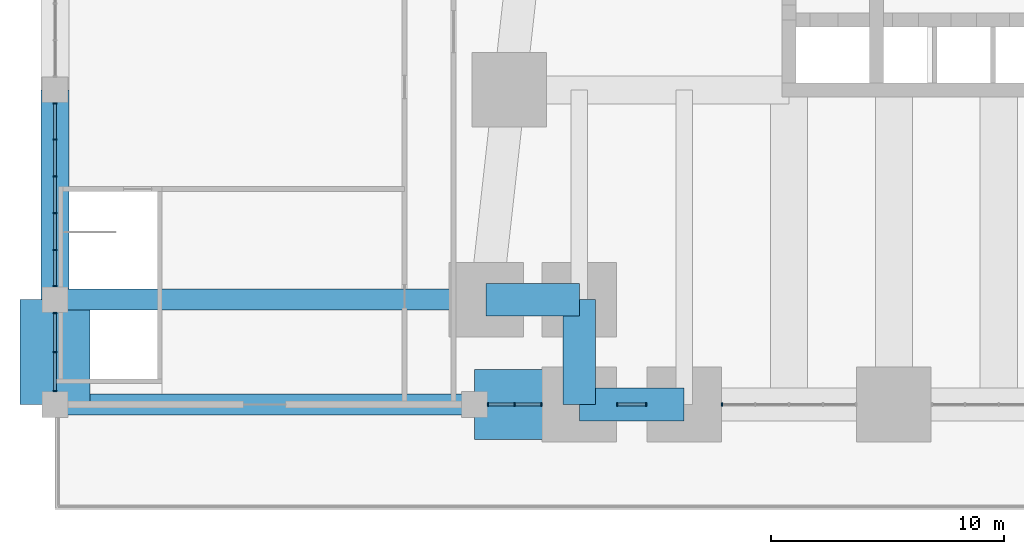
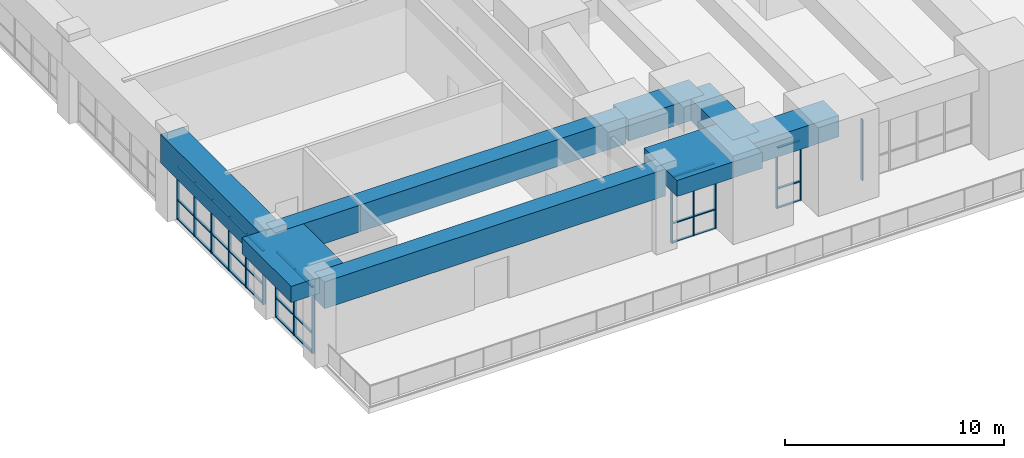
# One storey, part 2 of 22: 45 members, 9 beams, 5 elements without a shape of their own.
"""IFC4 building model written with IfcOpenShell, lengths in metres."""

from ifc_helpers import new_model, si_unit, direction, frame, origin, origin_2d, place, context, subcontext, project, spatial, rectangle, extrude, material, material_profile, profile_set, type_object, element, aggregate, save


model = new_model("IFC4")

# Units and contexts
model_context = context("Model", 3, precision=1e-05, world=origin(), true_north=direction((0.0, 1.0)))
body_context = subcontext(model_context, "Body", "Model", "MODEL_VIEW")
ifc_project = project(units=[si_unit("LENGTHUNIT", "METRE"), si_unit("AREAUNIT", "SQUARE_METRE"), si_unit("VOLUMEUNIT", "CUBIC_METRE"), si_unit("PLANEANGLEUNIT", "RADIAN"), si_unit("MASSUNIT", "GRAM", prefix="KILO")], contexts=[model_context])

# Site, building, storey
site_placement = place(None, origin())
site = spatial("IfcSite", under=ifc_project, at=site_placement, CompositionType="ELEMENT")
building_placement = place(site_placement, origin())
building = spatial("IfcBuilding", under=site, at=building_placement, Name="Kilele Tower Hotel", CompositionType="ELEMENT")
storey_placement = place(building_placement, frame((0.0, 0.0, 19.0)))
storey = spatial("IfcBuildingStorey", under=building, at=storey_placement, Name="L03", CompositionType="ELEMENT", Elevation=19.0)

# Beams
ifc_material_1 = material(Name="Concrete C60/75", Category="concrete")
ifc_material_profile_1 = material_profile(ifc_material_1, rectangle(XDim=1.199951171875, YDim=1.60009765625, at=origin_2d()))
ifc_profile_set_1 = profile_set([ifc_material_profile_1], Name="Concrete C60/75")
beam_type_1 = type_object("IfcBeamType", Name="Beam RC 1200x1600 C60/75", PredefinedType="BEAM", material=ifc_profile_set_1)
beam_1_placement = place(storey_placement, frame((-18.0, 4.5, 3.800048828125), z_axis=(0.0, 1.0, 0.0), x_axis=(-1.0, 0.0, 0.0)))
element("IfcBeam", 1, at=beam_1_placement, inside=storey, type_object=beam_type_1, Name="Beam PB2 level L04", PredefinedType="BEAM", context=body_context, shape_type="SweptSolid", body=[
    extrude(rectangle(XDim=1.199951171875, YDim=1.60009765625, at=origin_2d()), origin(), (0.0, 0.0, 1.0), 9.0),
])
ifc_material_2 = material(Name="Concrete C60/75", Category="concrete")
ifc_material_profile_2 = material_profile(ifc_material_2, rectangle(XDim=3.0, YDim=0.89990234375, at=origin_2d()))
ifc_profile_set_2 = profile_set([ifc_material_profile_2], Name="Concrete C60/75")
beam_type_2 = type_object("IfcBeamType", Name="Beam RC 3000x900 C60/75", PredefinedType="BEAM", material=ifc_profile_set_2)
for number, where, z_axis, x_axis, name in (
    (2, (-18.0, 0.0, 4.14990234375), (0.0, 1.0, 0.0), (-1.0, 0.0, 0.0), "Beam PB1 level L04"),
    (3, (0.0, 0.0, 4.14990234375), (1.0, 0.0, 0.0), (0.0, 1.0, 0.0), "Beam PB1 level L04"),
):
    element("IfcBeam", number, at=place(storey_placement, frame(where, z_axis=z_axis, x_axis=x_axis)), inside=storey, type_object=beam_type_2, Name=name, PredefinedType="BEAM", context=body_context, shape_type="SweptSolid", body=[
        extrude(rectangle(XDim=3.0, YDim=0.89990234375, at=origin_2d()), origin(), (0.0, 0.0, 1.0), 4.5),
    ])
ifc_material_3 = material(Name="Concrete C60/75", Category="concrete")
ifc_material_profile_3 = material_profile(ifc_material_3, rectangle(XDim=0.89990234375, YDim=1.5, at=origin_2d()))
ifc_profile_set_3 = profile_set([ifc_material_profile_3], Name="Concrete C60/75")
beam_type_3 = type_object("IfcBeamType", Name="Beam RC 900x1500 C60/75 short span", PredefinedType="BEAM", material=ifc_profile_set_3)
beam_2_placement = place(storey_placement, frame((-18.0, 4.5, 3.85009765625), z_axis=(1.0, 0.0, 0.0), x_axis=(0.0, 1.0, 0.0)))
element("IfcBeam", 4, at=beam_2_placement, inside=storey, type_object=beam_type_3, Name="Long-span beam LB3 level L04", PredefinedType="BEAM", context=body_context, shape_type="SweptSolid", body=[
    extrude(rectangle(XDim=0.89990234375, YDim=1.5, at=origin_2d()), origin(), (0.0, 0.0, 1.0), 4.5),
])
ifc_material_4 = material(Name="Concrete C60/75", Category="concrete")
ifc_material_profile_4 = material_profile(ifc_material_4, rectangle(XDim=0.89990234375, YDim=1.5, at=origin_2d()))
ifc_profile_set_4 = profile_set([ifc_material_profile_4], Name="Concrete C60/75")
beam_type_4 = type_object("IfcBeamType", Name="Long-span beam RC 900x1500 C60/75", PredefinedType="BEAM", material=ifc_profile_set_4)
beam_3_placement = place(storey_placement, frame((-18.0, 0.0, 3.85009765625), z_axis=(1.0, 0.0, 0.0), x_axis=(0.0, 1.0, 0.0)))
element("IfcBeam", 5, at=beam_3_placement, inside=storey, type_object=beam_type_4, Name="Long-span beam LB4 level L04", PredefinedType="BEAM", context=body_context, shape_type="SweptSolid", body=[
    extrude(rectangle(XDim=0.89990234375, YDim=1.5, at=origin_2d()), origin(), (0.0, 0.0, 1.0), 18.0),
])
ifc_material_5 = material(Name="Concrete C60/75", Category="concrete")
ifc_material_profile_5 = material_profile(ifc_material_5, rectangle(XDim=0.89990234375, YDim=1.5, at=origin_2d()))
ifc_profile_set_5 = profile_set([ifc_material_profile_5], Name="Concrete C60/75")
beam_type_5 = type_object("IfcBeamType", Name="Long-span beam RC 900x1500 C60/75 span 12 to 16 m", PredefinedType="BEAM", material=ifc_profile_set_5)
beam_4_placement = place(storey_placement, frame((-13.5, 4.5, 3.85009765625), z_axis=(1.0, 0.0, 0.0), x_axis=(0.0, 1.0, 0.0)))
element("IfcBeam", 6, at=beam_4_placement, inside=storey, type_object=beam_type_5, Name="Long-span beam LB5 level L04", PredefinedType="BEAM", context=body_context, shape_type="SweptSolid", body=[
    extrude(rectangle(XDim=0.89990234375, YDim=1.5, at=origin_2d()), origin(), (0.0, 0.0, 1.0), 14.0),
])

# Curtain wall, members
ifc_material_6 = material(Name="Aluminium curtain wall, clear double glazing", Category="aluminium")
curtain_wall_type_1 = type_object("IfcCurtainWallType", Name="Podium curtain wall CW-1", PredefinedType="NOTDEFINED", material=ifc_material_6)
curtain_wall_1_placement = place(storey_placement, origin())
curtain_wall_1 = element("IfcCurtainWall", 7, at=curtain_wall_1_placement, inside=storey, type_object=curtain_wall_type_1, Name="Podium curtain wall CW-1 L03", PredefinedType="NOTDEFINED")
ifc_material_7 = material(Name="Aluminium EN AW-6063 T6", Category="aluminium")
ifc_material_profile_6 = material_profile(ifc_material_7, rectangle(XDim=0.159912109375, YDim=0.06005859375, at=origin_2d()))
ifc_profile_set_6 = profile_set([ifc_material_profile_6], Name="Aluminium EN AW-6063 T6")
member_type_1 = type_object("IfcMemberType", Name="Mullion 60x160 CW-1", PredefinedType="MULLION", material=ifc_profile_set_6)
member_1_placement = place(storey_placement, frame((0.580078125, 0.0, 0.0), z_axis=(0.0, 0.0, 1.0), x_axis=(0.0, 1.0, 0.0)))
member_1 = element("IfcMember", 8, at=member_1_placement, type_object=member_type_1, Name="CW-1 mullion 1", PredefinedType="MULLION", context=body_context, shape_type="SweptSolid", body=[
    extrude(rectangle(XDim=0.159912109375, YDim=0.06005859375, at=origin_2d()), origin(), (0.0, 0.0, 1.0), 3.699951171875),
])
member_2_placement = place(storey_placement, frame((1.72509765625, 0.0, 0.0), z_axis=(0.0, 0.0, 1.0), x_axis=(0.0, 1.0, 0.0)))
member_2 = element("IfcMember", 9, at=member_2_placement, type_object=member_type_1, Name="CW-1 mullion 2", PredefinedType="MULLION", context=body_context, shape_type="SweptSolid", body=[
    extrude(rectangle(XDim=0.159912109375, YDim=0.06005859375, at=origin_2d()), origin(), (0.0, 0.0, 1.0), 3.699951171875),
])
member_3_placement = place(storey_placement, frame((2.8701171875, 0.0, 0.0), z_axis=(0.0, 0.0, 1.0), x_axis=(0.0, 1.0, 0.0)))
member_3 = element("IfcMember", 10, at=member_3_placement, type_object=member_type_1, Name="CW-1 mullion 3", PredefinedType="MULLION", context=body_context, shape_type="SweptSolid", body=[
    extrude(rectangle(XDim=0.159912109375, YDim=0.06005859375, at=origin_2d()), origin(), (0.0, 0.0, 1.0), 3.699951171875),
])

curtain_wall_2_placement = place(storey_placement, origin())
curtain_wall_2 = element("IfcCurtainWall", 11, at=curtain_wall_2_placement, inside=storey, type_object=curtain_wall_type_1, Name="Podium curtain wall CW-1 L03", PredefinedType="NOTDEFINED")
member_4_placement = place(storey_placement, frame((6.1298828125, 0.0, 0.0), z_axis=(0.0, 0.0, 1.0), x_axis=(0.0, 1.0, 0.0)))
member_4 = element("IfcMember", 12, at=member_4_placement, type_object=member_type_1, Name="CW-1 mullion 1", PredefinedType="MULLION", context=body_context, shape_type="SweptSolid", body=[
    extrude(rectangle(XDim=0.159912109375, YDim=0.06005859375, at=origin_2d()), origin(), (0.0, 0.0, 1.0), 3.39990234375),
])
member_5_placement = place(storey_placement, frame((7.3701171875, 0.0, 0.0), z_axis=(0.0, 0.0, 1.0), x_axis=(0.0, 1.0, 0.0)))
member_5 = element("IfcMember", 13, at=member_5_placement, type_object=member_type_1, Name="CW-1 mullion 2", PredefinedType="MULLION", context=body_context, shape_type="SweptSolid", body=[
    extrude(rectangle(XDim=0.159912109375, YDim=0.06005859375, at=origin_2d()), origin(), (0.0, 0.0, 1.0), 3.39990234375),
])

# Curtain wall, member
curtain_wall_3_placement = place(storey_placement, origin())
curtain_wall_3 = element("IfcCurtainWall", 14, at=curtain_wall_3_placement, inside=storey, type_object=curtain_wall_type_1, Name="Podium curtain wall CW-1 L03", PredefinedType="NOTDEFINED")
member_6_placement = place(storey_placement, frame((10.6298828125, 0.0, 0.0), z_axis=(0.0, 0.0, 1.0), x_axis=(0.0, 1.0, 0.0)))
member_6 = element("IfcMember", 15, at=member_6_placement, type_object=member_type_1, Name="CW-1 mullion 1", PredefinedType="MULLION", context=body_context, shape_type="SweptSolid", body=[
    extrude(rectangle(XDim=0.159912109375, YDim=0.06005859375, at=origin_2d()), origin(), (0.0, 0.0, 1.0), 3.39990234375),
])
aggregate(curtain_wall_3, [member_6])

# Curtain wall, members
ifc_material_8 = material(Name="Aluminium curtain wall, clear double glazing", Category="aluminium")
curtain_wall_type_2 = type_object("IfcCurtainWallType", Name="Podium side curtain wall CW-2", PredefinedType="NOTDEFINED", material=ifc_material_8)
curtain_wall_4_placement = place(storey_placement, origin())
curtain_wall_4 = element("IfcCurtainWall", 16, at=curtain_wall_4_placement, inside=storey, type_object=curtain_wall_type_2, Name="Podium side curtain wall CW-2 L03", PredefinedType="NOTDEFINED")
ifc_material_9 = material(Name="Aluminium EN AW-6063 T6", Category="aluminium")
ifc_material_profile_7 = material_profile(ifc_material_9, rectangle(XDim=0.159912109375, YDim=0.06005859375, at=origin_2d()))
ifc_profile_set_7 = profile_set([ifc_material_profile_7], Name="Aluminium EN AW-6063 T6")
member_type_2 = type_object("IfcMemberType", Name="Mullion 60x160 CW-2", PredefinedType="MULLION", material=ifc_profile_set_7)
member_7_placement = place(storey_placement, frame((-18.0, 12.919921875, 0.0), z_axis=(0.0, 0.0, 1.0), x_axis=(1.0, 0.0, 0.0)))
member_7 = element("IfcMember", 17, at=member_7_placement, type_object=member_type_2, Name="CW-2 mullion 1", PredefinedType="MULLION", context=body_context, shape_type="SweptSolid", body=[
    extrude(rectangle(XDim=0.159912109375, YDim=0.06005859375, at=origin_2d()), origin(), (0.0, 0.0, 1.0), 3.0),
])
member_8_placement = place(storey_placement, frame((-18.0, 11.3701171875, 0.0), z_axis=(0.0, 0.0, 1.0), x_axis=(1.0, 0.0, 0.0)))
member_8 = element("IfcMember", 18, at=member_8_placement, type_object=member_type_2, Name="CW-2 mullion 2", PredefinedType="MULLION", context=body_context, shape_type="SweptSolid", body=[
    extrude(rectangle(XDim=0.159912109375, YDim=0.06005859375, at=origin_2d()), origin(), (0.0, 0.0, 1.0), 3.0),
])
member_9_placement = place(storey_placement, frame((-18.0, 9.7900390625, 0.0), z_axis=(0.0, 0.0, 1.0), x_axis=(1.0, 0.0, 0.0)))
member_9 = element("IfcMember", 19, at=member_9_placement, type_object=member_type_2, Name="CW-2 mullion 3", PredefinedType="MULLION", context=body_context, shape_type="SweptSolid", body=[
    extrude(rectangle(XDim=0.159912109375, YDim=0.06005859375, at=origin_2d()), origin(), (0.0, 0.0, 1.0), 3.0),
])
member_10_placement = place(storey_placement, frame((-18.0, 8.2099609375, 0.0), z_axis=(0.0, 0.0, 1.0), x_axis=(1.0, 0.0, 0.0)))
member_10 = element("IfcMember", 20, at=member_10_placement, type_object=member_type_2, Name="CW-2 mullion 4", PredefinedType="MULLION", context=body_context, shape_type="SweptSolid", body=[
    extrude(rectangle(XDim=0.159912109375, YDim=0.06005859375, at=origin_2d()), origin(), (0.0, 0.0, 1.0), 3.0),
])
member_11_placement = place(storey_placement, frame((-18.0, 6.6298828125, 0.0), z_axis=(0.0, 0.0, 1.0), x_axis=(1.0, 0.0, 0.0)))
member_11 = element("IfcMember", 21, at=member_11_placement, type_object=member_type_2, Name="CW-2 mullion 5", PredefinedType="MULLION", context=body_context, shape_type="SweptSolid", body=[
    extrude(rectangle(XDim=0.159912109375, YDim=0.06005859375, at=origin_2d()), origin(), (0.0, 0.0, 1.0), 3.0),
])
member_12_placement = place(storey_placement, frame((-18.0, 5.080078125, 0.0), z_axis=(0.0, 0.0, 1.0), x_axis=(1.0, 0.0, 0.0)))
member_12 = element("IfcMember", 22, at=member_12_placement, type_object=member_type_2, Name="CW-2 mullion 6", PredefinedType="MULLION", context=body_context, shape_type="SweptSolid", body=[
    extrude(rectangle(XDim=0.159912109375, YDim=0.06005859375, at=origin_2d()), origin(), (0.0, 0.0, 1.0), 3.0),
])

curtain_wall_5_placement = place(storey_placement, origin())
curtain_wall_5 = element("IfcCurtainWall", 23, at=curtain_wall_5_placement, inside=storey, type_object=curtain_wall_type_2, Name="Podium side curtain wall CW-2 L03", PredefinedType="NOTDEFINED")
member_13_placement = place(storey_placement, frame((-18.0, 3.919921875, 0.0), z_axis=(0.0, 0.0, 1.0), x_axis=(1.0, 0.0, 0.0)))
member_13 = element("IfcMember", 24, at=member_13_placement, type_object=member_type_2, Name="CW-2 mullion 1", PredefinedType="MULLION", context=body_context, shape_type="SweptSolid", body=[
    extrude(rectangle(XDim=0.159912109375, YDim=0.06005859375, at=origin_2d()), origin(), (0.0, 0.0, 1.0), 3.699951171875),
])
member_14_placement = place(storey_placement, frame((-18.0, 2.25, 0.0), z_axis=(0.0, 0.0, 1.0), x_axis=(1.0, 0.0, 0.0)))
member_14 = element("IfcMember", 25, at=member_14_placement, type_object=member_type_2, Name="CW-2 mullion 2", PredefinedType="MULLION", context=body_context, shape_type="SweptSolid", body=[
    extrude(rectangle(XDim=0.159912109375, YDim=0.06005859375, at=origin_2d()), origin(), (0.0, 0.0, 1.0), 3.699951171875),
])
member_15_placement = place(storey_placement, frame((-18.0, 0.580078125, 0.0), z_axis=(0.0, 0.0, 1.0), x_axis=(1.0, 0.0, 0.0)))
member_15 = element("IfcMember", 26, at=member_15_placement, type_object=member_type_2, Name="CW-2 mullion 3", PredefinedType="MULLION", context=body_context, shape_type="SweptSolid", body=[
    extrude(rectangle(XDim=0.159912109375, YDim=0.06005859375, at=origin_2d()), origin(), (0.0, 0.0, 1.0), 3.699951171875),
])

# Beams
ifc_material_10 = material(Name="Concrete C60/75", Category="concrete")
ifc_material_profile_8 = material_profile(ifc_material_10, rectangle(XDim=1.39990234375, YDim=1.199951171875, at=origin_2d()))
ifc_profile_set_8 = profile_set([ifc_material_profile_8], Name="Concrete C60/75")
beam_type_6 = type_object("IfcBeamType", Name="Spandrel RC 1400x1200 C60/75", PredefinedType="SPANDREL", material=ifc_profile_set_8)
beam_5_placement = place(storey_placement, frame((0.5, 4.5, 4.0), z_axis=(1.0, 0.0, 0.0), x_axis=(0.0, 1.0, 0.0)))
element("IfcBeam", 27, at=beam_5_placement, inside=storey, type_object=beam_type_6, Name="Spandrel SP10 level L04", PredefinedType="SPANDREL", context=body_context, shape_type="SweptSolid", body=[
    extrude(rectangle(XDim=1.39990234375, YDim=1.199951171875, at=origin_2d()), origin(), (0.0, 0.0, 1.0), 4.0),
])
for number, where, z_axis, x_axis, name in (
    (28, (4.5, 4.5, 4.0), (0.0, -1.0, 0.0), (1.0, 0.0, 0.0), "Spandrel SP10 level L04"),
    (29, (4.5, 0.0, 4.0), (1.0, 0.0, 0.0), (0.0, 1.0, 0.0), "Spandrel SP10 level L04"),
):
    element("IfcBeam", number, at=place(storey_placement, frame(where, z_axis=z_axis, x_axis=x_axis)), inside=storey, type_object=beam_type_6, Name=name, PredefinedType="SPANDREL", context=body_context, shape_type="SweptSolid", body=[
        extrude(rectangle(XDim=1.39990234375, YDim=1.199951171875, at=origin_2d()), origin(), (0.0, 0.0, 1.0), 4.5),
    ])

# Member
ifc_material_11 = material(Name="Aluminium EN AW-6063 T6", Category="aluminium")
ifc_material_profile_9 = material_profile(ifc_material_11, rectangle(XDim=0.1201171875, YDim=0.06005859375, at=origin_2d()))
ifc_profile_set_9 = profile_set([ifc_material_profile_9], Name="Aluminium EN AW-6063 T6")
member_type_3 = type_object("IfcMemberType", Name="Transom 60x120 CW-1", PredefinedType="USERDEFINED", material=ifc_profile_set_9)
member_16_placement = place(storey_placement, frame((0.610107421875, 0.0, 0.030029296875), z_axis=(1.0, 0.0, 0.0), x_axis=(0.0, 1.0, 0.0)))
member_16 = element("IfcMember", 30, at=member_16_placement, type_object=member_type_3, Name="CW-1 transom 1.1", ObjectType="TRANSOM", PredefinedType="USERDEFINED", context=body_context, shape_type="SweptSolid", body=[
    extrude(rectangle(XDim=0.1201171875, YDim=0.06005859375, at=origin_2d()), origin(), (0.0, 0.0, 1.0), 1.0849609375),
])

member_17_placement = place(storey_placement, frame((0.610107421875, 0.0, 1.10009765625), z_axis=(1.0, 0.0, 0.0), x_axis=(0.0, 1.0, 0.0)))
member_17 = element("IfcMember", 31, at=member_17_placement, type_object=member_type_3, Name="CW-1 transom 1.2", ObjectType="TRANSOM", PredefinedType="USERDEFINED", context=body_context, shape_type="SweptSolid", body=[
    extrude(rectangle(XDim=0.1201171875, YDim=0.06005859375, at=origin_2d()), origin(), (0.0, 0.0, 1.0), 1.0849609375),
])

member_18_placement = place(storey_placement, frame((0.610107421875, 0.0, 3.669921875), z_axis=(1.0, 0.0, 0.0), x_axis=(0.0, 1.0, 0.0)))
member_18 = element("IfcMember", 32, at=member_18_placement, type_object=member_type_3, Name="CW-1 transom 1.3", ObjectType="TRANSOM", PredefinedType="USERDEFINED", context=body_context, shape_type="SweptSolid", body=[
    extrude(rectangle(XDim=0.1201171875, YDim=0.06005859375, at=origin_2d()), origin(), (0.0, 0.0, 1.0), 1.0849609375),
])

member_19_placement = place(storey_placement, frame((1.7548828125, 0.0, 0.030029296875), z_axis=(1.0, 0.0, 0.0), x_axis=(0.0, 1.0, 0.0)))
member_19 = element("IfcMember", 33, at=member_19_placement, type_object=member_type_3, Name="CW-1 transom 2.1", ObjectType="TRANSOM", PredefinedType="USERDEFINED", context=body_context, shape_type="SweptSolid", body=[
    extrude(rectangle(XDim=0.1201171875, YDim=0.06005859375, at=origin_2d()), origin(), (0.0, 0.0, 1.0), 1.085205078125),
])

member_20_placement = place(storey_placement, frame((1.7548828125, 0.0, 1.10009765625), z_axis=(1.0, 0.0, 0.0), x_axis=(0.0, 1.0, 0.0)))
member_20 = element("IfcMember", 34, at=member_20_placement, type_object=member_type_3, Name="CW-1 transom 2.2", ObjectType="TRANSOM", PredefinedType="USERDEFINED", context=body_context, shape_type="SweptSolid", body=[
    extrude(rectangle(XDim=0.1201171875, YDim=0.06005859375, at=origin_2d()), origin(), (0.0, 0.0, 1.0), 1.085205078125),
])

member_21_placement = place(storey_placement, frame((1.7548828125, 0.0, 3.669921875), z_axis=(1.0, 0.0, 0.0), x_axis=(0.0, 1.0, 0.0)))
member_21 = element("IfcMember", 35, at=member_21_placement, type_object=member_type_3, Name="CW-1 transom 2.3", ObjectType="TRANSOM", PredefinedType="USERDEFINED", context=body_context, shape_type="SweptSolid", body=[
    extrude(rectangle(XDim=0.1201171875, YDim=0.06005859375, at=origin_2d()), origin(), (0.0, 0.0, 1.0), 1.085205078125),
])

aggregate(curtain_wall_1, [member_1, member_2, member_3, member_16, member_17, member_18, member_19, member_20, member_21])

member_22_placement = place(storey_placement, frame((6.159912109375, 0.0, 0.030029296875), z_axis=(1.0, 0.0, 0.0), x_axis=(0.0, 1.0, 0.0)))
member_22 = element("IfcMember", 36, at=member_22_placement, type_object=member_type_3, Name="CW-1 transom 1.1", ObjectType="TRANSOM", PredefinedType="USERDEFINED", context=body_context, shape_type="SweptSolid", body=[
    extrude(rectangle(XDim=0.1201171875, YDim=0.06005859375, at=origin_2d()), origin(), (0.0, 0.0, 1.0), 1.18017578125),
])

member_23_placement = place(storey_placement, frame((6.159912109375, 0.0, 1.10009765625), z_axis=(1.0, 0.0, 0.0), x_axis=(0.0, 1.0, 0.0)))
member_23 = element("IfcMember", 37, at=member_23_placement, type_object=member_type_3, Name="CW-1 transom 1.2", ObjectType="TRANSOM", PredefinedType="USERDEFINED", context=body_context, shape_type="SweptSolid", body=[
    extrude(rectangle(XDim=0.1201171875, YDim=0.06005859375, at=origin_2d()), origin(), (0.0, 0.0, 1.0), 1.18017578125),
])

member_24_placement = place(storey_placement, frame((6.159912109375, 0.0, 3.3701171875), z_axis=(1.0, 0.0, 0.0), x_axis=(0.0, 1.0, 0.0)))
member_24 = element("IfcMember", 38, at=member_24_placement, type_object=member_type_3, Name="CW-1 transom 1.3", ObjectType="TRANSOM", PredefinedType="USERDEFINED", context=body_context, shape_type="SweptSolid", body=[
    extrude(rectangle(XDim=0.1201171875, YDim=0.06005859375, at=origin_2d()), origin(), (0.0, 0.0, 1.0), 1.18017578125),
])

aggregate(curtain_wall_2, [member_4, member_5, member_22, member_23, member_24])

ifc_material_12 = material(Name="Aluminium EN AW-6063 T6", Category="aluminium")
ifc_material_profile_10 = material_profile(ifc_material_12, rectangle(XDim=0.1201171875, YDim=0.06005859375, at=origin_2d()))
ifc_profile_set_10 = profile_set([ifc_material_profile_10], Name="Aluminium EN AW-6063 T6")
member_type_4 = type_object("IfcMemberType", Name="Transom 60x120 CW-2", PredefinedType="USERDEFINED", material=ifc_profile_set_10)
member_25_placement = place(storey_placement, frame((-18.0, 12.889892578125, 0.030029296875), z_axis=(0.0, -1.0, 0.0), x_axis=(1.0, 0.0, 0.0)))
member_25 = element("IfcMember", 39, at=member_25_placement, type_object=member_type_4, Name="CW-2 transom 1.1", ObjectType="TRANSOM", PredefinedType="USERDEFINED", context=body_context, shape_type="SweptSolid", body=[
    extrude(rectangle(XDim=0.1201171875, YDim=0.06005859375, at=origin_2d()), origin(), (0.0, 0.0, 1.0), 1.489990234375),
])

member_26_placement = place(storey_placement, frame((-18.0, 12.889892578125, 1.10009765625), z_axis=(0.0, -1.0, 0.0), x_axis=(1.0, 0.0, 0.0)))
member_26 = element("IfcMember", 40, at=member_26_placement, type_object=member_type_4, Name="CW-2 transom 1.2", ObjectType="TRANSOM", PredefinedType="USERDEFINED", context=body_context, shape_type="SweptSolid", body=[
    extrude(rectangle(XDim=0.1201171875, YDim=0.06005859375, at=origin_2d()), origin(), (0.0, 0.0, 1.0), 1.489990234375),
])

member_27_placement = place(storey_placement, frame((-18.0, 12.889892578125, 2.969970703125), z_axis=(0.0, -1.0, 0.0), x_axis=(1.0, 0.0, 0.0)))
member_27 = element("IfcMember", 41, at=member_27_placement, type_object=member_type_4, Name="CW-2 transom 1.3", ObjectType="TRANSOM", PredefinedType="USERDEFINED", context=body_context, shape_type="SweptSolid", body=[
    extrude(rectangle(XDim=0.1201171875, YDim=0.06005859375, at=origin_2d()), origin(), (0.0, 0.0, 1.0), 1.489990234375),
])

member_28_placement = place(storey_placement, frame((-18.0, 11.340087890625, 0.030029296875), z_axis=(0.0, -1.0, 0.0), x_axis=(1.0, 0.0, 0.0)))
member_28 = element("IfcMember", 42, at=member_28_placement, type_object=member_type_4, Name="CW-2 transom 2.1", ObjectType="TRANSOM", PredefinedType="USERDEFINED", context=body_context, shape_type="SweptSolid", body=[
    extrude(rectangle(XDim=0.1201171875, YDim=0.06005859375, at=origin_2d()), origin(), (0.0, 0.0, 1.0), 1.52001953125),
])

member_29_placement = place(storey_placement, frame((-18.0, 11.340087890625, 1.10009765625), z_axis=(0.0, -1.0, 0.0), x_axis=(1.0, 0.0, 0.0)))
member_29 = element("IfcMember", 43, at=member_29_placement, type_object=member_type_4, Name="CW-2 transom 2.2", ObjectType="TRANSOM", PredefinedType="USERDEFINED", context=body_context, shape_type="SweptSolid", body=[
    extrude(rectangle(XDim=0.1201171875, YDim=0.06005859375, at=origin_2d()), origin(), (0.0, 0.0, 1.0), 1.52001953125),
])

member_30_placement = place(storey_placement, frame((-18.0, 11.340087890625, 2.969970703125), z_axis=(0.0, -1.0, 0.0), x_axis=(1.0, 0.0, 0.0)))
member_30 = element("IfcMember", 44, at=member_30_placement, type_object=member_type_4, Name="CW-2 transom 2.3", ObjectType="TRANSOM", PredefinedType="USERDEFINED", context=body_context, shape_type="SweptSolid", body=[
    extrude(rectangle(XDim=0.1201171875, YDim=0.06005859375, at=origin_2d()), origin(), (0.0, 0.0, 1.0), 1.52001953125),
])

member_31_placement = place(storey_placement, frame((-18.0, 9.760009765625, 0.030029296875), z_axis=(0.0, -1.0, 0.0), x_axis=(1.0, 0.0, 0.0)))
member_31 = element("IfcMember", 45, at=member_31_placement, type_object=member_type_4, Name="CW-2 transom 3.1", ObjectType="TRANSOM", PredefinedType="USERDEFINED", context=body_context, shape_type="SweptSolid", body=[
    extrude(rectangle(XDim=0.1201171875, YDim=0.06005859375, at=origin_2d()), origin(), (0.0, 0.0, 1.0), 1.52001953125),
])

member_32_placement = place(storey_placement, frame((-18.0, 9.760009765625, 1.10009765625), z_axis=(0.0, -1.0, 0.0), x_axis=(1.0, 0.0, 0.0)))
member_32 = element("IfcMember", 46, at=member_32_placement, type_object=member_type_4, Name="CW-2 transom 3.2", ObjectType="TRANSOM", PredefinedType="USERDEFINED", context=body_context, shape_type="SweptSolid", body=[
    extrude(rectangle(XDim=0.1201171875, YDim=0.06005859375, at=origin_2d()), origin(), (0.0, 0.0, 1.0), 1.52001953125),
])

member_33_placement = place(storey_placement, frame((-18.0, 9.760009765625, 2.969970703125), z_axis=(0.0, -1.0, 0.0), x_axis=(1.0, 0.0, 0.0)))
member_33 = element("IfcMember", 47, at=member_33_placement, type_object=member_type_4, Name="CW-2 transom 3.3", ObjectType="TRANSOM", PredefinedType="USERDEFINED", context=body_context, shape_type="SweptSolid", body=[
    extrude(rectangle(XDim=0.1201171875, YDim=0.06005859375, at=origin_2d()), origin(), (0.0, 0.0, 1.0), 1.52001953125),
])

member_34_placement = place(storey_placement, frame((-18.0, 8.179931640625, 0.030029296875), z_axis=(0.0, -1.0, 0.0), x_axis=(1.0, 0.0, 0.0)))
member_34 = element("IfcMember", 48, at=member_34_placement, type_object=member_type_4, Name="CW-2 transom 4.1", ObjectType="TRANSOM", PredefinedType="USERDEFINED", context=body_context, shape_type="SweptSolid", body=[
    extrude(rectangle(XDim=0.1201171875, YDim=0.06005859375, at=origin_2d()), origin(), (0.0, 0.0, 1.0), 1.52001953125),
])

member_35_placement = place(storey_placement, frame((-18.0, 8.179931640625, 1.10009765625), z_axis=(0.0, -1.0, 0.0), x_axis=(1.0, 0.0, 0.0)))
member_35 = element("IfcMember", 49, at=member_35_placement, type_object=member_type_4, Name="CW-2 transom 4.2", ObjectType="TRANSOM", PredefinedType="USERDEFINED", context=body_context, shape_type="SweptSolid", body=[
    extrude(rectangle(XDim=0.1201171875, YDim=0.06005859375, at=origin_2d()), origin(), (0.0, 0.0, 1.0), 1.52001953125),
])

member_36_placement = place(storey_placement, frame((-18.0, 8.179931640625, 2.969970703125), z_axis=(0.0, -1.0, 0.0), x_axis=(1.0, 0.0, 0.0)))
member_36 = element("IfcMember", 50, at=member_36_placement, type_object=member_type_4, Name="CW-2 transom 4.3", ObjectType="TRANSOM", PredefinedType="USERDEFINED", context=body_context, shape_type="SweptSolid", body=[
    extrude(rectangle(XDim=0.1201171875, YDim=0.06005859375, at=origin_2d()), origin(), (0.0, 0.0, 1.0), 1.52001953125),
])

member_37_placement = place(storey_placement, frame((-18.0, 6.60009765625, 0.030029296875), z_axis=(0.0, -1.0, 0.0), x_axis=(1.0, 0.0, 0.0)))
member_37 = element("IfcMember", 51, at=member_37_placement, type_object=member_type_4, Name="CW-2 transom 5.1", ObjectType="TRANSOM", PredefinedType="USERDEFINED", context=body_context, shape_type="SweptSolid", body=[
    extrude(rectangle(XDim=0.1201171875, YDim=0.06005859375, at=origin_2d()), origin(), (0.0, 0.0, 1.0), 1.489990234375),
])

member_38_placement = place(storey_placement, frame((-18.0, 6.60009765625, 1.10009765625), z_axis=(0.0, -1.0, 0.0), x_axis=(1.0, 0.0, 0.0)))
member_38 = element("IfcMember", 52, at=member_38_placement, type_object=member_type_4, Name="CW-2 transom 5.2", ObjectType="TRANSOM", PredefinedType="USERDEFINED", context=body_context, shape_type="SweptSolid", body=[
    extrude(rectangle(XDim=0.1201171875, YDim=0.06005859375, at=origin_2d()), origin(), (0.0, 0.0, 1.0), 1.489990234375),
])

member_39_placement = place(storey_placement, frame((-18.0, 6.60009765625, 2.969970703125), z_axis=(0.0, -1.0, 0.0), x_axis=(1.0, 0.0, 0.0)))
member_39 = element("IfcMember", 53, at=member_39_placement, type_object=member_type_4, Name="CW-2 transom 5.3", ObjectType="TRANSOM", PredefinedType="USERDEFINED", context=body_context, shape_type="SweptSolid", body=[
    extrude(rectangle(XDim=0.1201171875, YDim=0.06005859375, at=origin_2d()), origin(), (0.0, 0.0, 1.0), 1.489990234375),
])

aggregate(curtain_wall_4, [member_7, member_8, member_9, member_10, member_11, member_12, member_25, member_26, member_27, member_28, member_29, member_30, member_31, member_32, member_33, member_34, member_35, member_36, member_37, member_38, member_39])

member_40_placement = place(storey_placement, frame((-18.0, 3.889892578125, 0.030029296875), z_axis=(0.0, -1.0, 0.0), x_axis=(1.0, 0.0, 0.0)))
member_40 = element("IfcMember", 54, at=member_40_placement, type_object=member_type_4, Name="CW-2 transom 1.1", ObjectType="TRANSOM", PredefinedType="USERDEFINED", context=body_context, shape_type="SweptSolid", body=[
    extrude(rectangle(XDim=0.1201171875, YDim=0.06005859375, at=origin_2d()), origin(), (0.0, 0.0, 1.0), 1.60986328125),
])

member_41_placement = place(storey_placement, frame((-18.0, 3.889892578125, 1.10009765625), z_axis=(0.0, -1.0, 0.0), x_axis=(1.0, 0.0, 0.0)))
member_41 = element("IfcMember", 55, at=member_41_placement, type_object=member_type_4, Name="CW-2 transom 1.2", ObjectType="TRANSOM", PredefinedType="USERDEFINED", context=body_context, shape_type="SweptSolid", body=[
    extrude(rectangle(XDim=0.1201171875, YDim=0.06005859375, at=origin_2d()), origin(), (0.0, 0.0, 1.0), 1.60986328125),
])

member_42_placement = place(storey_placement, frame((-18.0, 3.889892578125, 3.669921875), z_axis=(0.0, -1.0, 0.0), x_axis=(1.0, 0.0, 0.0)))
member_42 = element("IfcMember", 56, at=member_42_placement, type_object=member_type_4, Name="CW-2 transom 1.3", ObjectType="TRANSOM", PredefinedType="USERDEFINED", context=body_context, shape_type="SweptSolid", body=[
    extrude(rectangle(XDim=0.1201171875, YDim=0.06005859375, at=origin_2d()), origin(), (0.0, 0.0, 1.0), 1.60986328125),
])

member_43_placement = place(storey_placement, frame((-18.0, 2.219970703125, 0.030029296875), z_axis=(0.0, -1.0, 0.0), x_axis=(1.0, 0.0, 0.0)))
member_43 = element("IfcMember", 57, at=member_43_placement, type_object=member_type_4, Name="CW-2 transom 2.1", ObjectType="TRANSOM", PredefinedType="USERDEFINED", context=body_context, shape_type="SweptSolid", body=[
    extrude(rectangle(XDim=0.1201171875, YDim=0.06005859375, at=origin_2d()), origin(), (0.0, 0.0, 1.0), 1.60986328125),
])

member_44_placement = place(storey_placement, frame((-18.0, 2.219970703125, 1.10009765625), z_axis=(0.0, -1.0, 0.0), x_axis=(1.0, 0.0, 0.0)))
member_44 = element("IfcMember", 58, at=member_44_placement, type_object=member_type_4, Name="CW-2 transom 2.2", ObjectType="TRANSOM", PredefinedType="USERDEFINED", context=body_context, shape_type="SweptSolid", body=[
    extrude(rectangle(XDim=0.1201171875, YDim=0.06005859375, at=origin_2d()), origin(), (0.0, 0.0, 1.0), 1.60986328125),
])

member_45_placement = place(storey_placement, frame((-18.0, 2.219970703125, 3.669921875), z_axis=(0.0, -1.0, 0.0), x_axis=(1.0, 0.0, 0.0)))
member_45 = element("IfcMember", 59, at=member_45_placement, type_object=member_type_4, Name="CW-2 transom 2.3", ObjectType="TRANSOM", PredefinedType="USERDEFINED", context=body_context, shape_type="SweptSolid", body=[
    extrude(rectangle(XDim=0.1201171875, YDim=0.06005859375, at=origin_2d()), origin(), (0.0, 0.0, 1.0), 1.60986328125),
])

aggregate(curtain_wall_5, [member_13, member_14, member_15, member_40, member_41, member_42, member_43, member_44, member_45])

save(model, "model.ifc")
